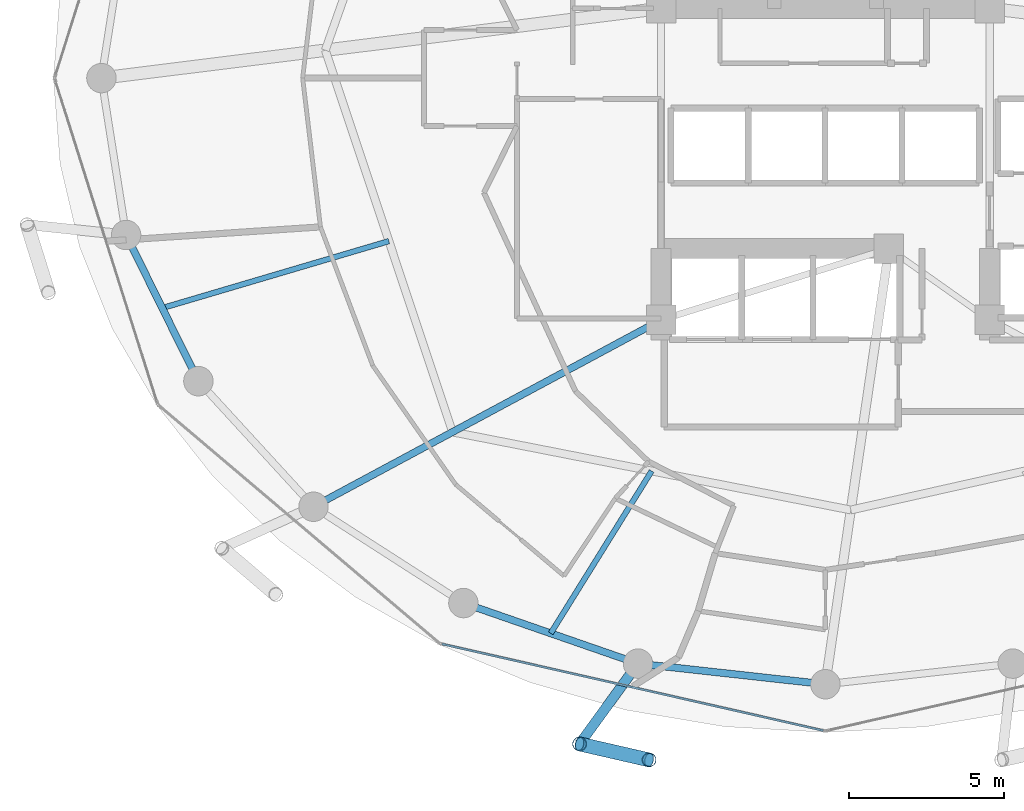
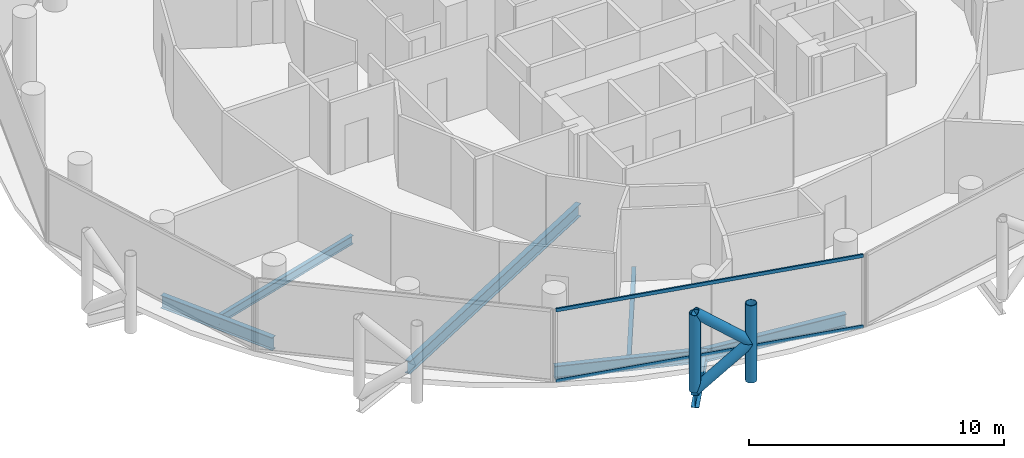
# One storey, part 3 of 26: 7 beams, 6 members, 1 element without a shape of its own.
"""IFC4 building model written with IfcOpenShell, lengths in metres."""

from ifc_helpers import new_model, si_unit, direction, frame, origin, origin_2d, place, context, subcontext, project, spatial, hollow_rectangle, hollow_circle, i_section, extrude, material, layer, layer_set, material_profile, profile_set, type_object, element, aggregate, save


model = new_model("IFC4")

# Units and contexts
model_context = context("Model", 3, precision=1e-05, world=origin(), true_north=direction((0.0, 1.0)))
body_context = subcontext(model_context, "Body", "Model", "MODEL_VIEW")
ifc_project = project(units=[si_unit("LENGTHUNIT", "METRE"), si_unit("AREAUNIT", "SQUARE_METRE"), si_unit("VOLUMEUNIT", "CUBIC_METRE"), si_unit("PLANEANGLEUNIT", "RADIAN"), si_unit("MASSUNIT", "GRAM", prefix="KILO")], contexts=[model_context])

# Site, building, storey
site_placement = place(None, origin())
site = spatial("IfcSite", under=ifc_project, at=site_placement, CompositionType="ELEMENT")
building_placement = place(site_placement, origin())
building = spatial("IfcBuilding", under=site, at=building_placement, Name="Nuhasar Tower", CompositionType="ELEMENT")
storey_placement = place(building_placement, frame((0.0, 0.0, 151.550048828125)))
storey = spatial("IfcBuildingStorey", under=building, at=storey_placement, Name="L36", CompositionType="ELEMENT", Elevation=151.550048828125)

# Beams
ifc_material_1 = material(Name="Steel S355", Category="steel")
ifc_material_profile_1 = material_profile(ifc_material_1, i_section(OverallWidth=0.177978515625, OverallDepth=0.406005859375, WebThickness=0.0078125, FlangeThickness=0.0126953125, at=origin_2d()), Name="W16X40")
ifc_profile_set_1 = profile_set([ifc_material_profile_1], Name="Steel S355")
beam_type_1 = type_object("IfcBeamType", Name="BM-JST-W16X40", PredefinedType="JOIST", material=ifc_profile_set_1)
beam_1_placement = place(storey_placement, frame((33.39697265625, 14.1279296875, -0.453125), z_axis=(-0.528139463011, -0.849157645912, 0.0), x_axis=(0.849157645912, -0.528139463011, 0.0)))
element("IfcBeam", 1, at=beam_1_placement, inside=storey, type_object=beam_type_1, Name="L36 Secondary Floor Joist 01", PredefinedType="JOIST", context=body_context, shape_type="SweptSolid", body=[
    extrude(i_section(OverallWidth=0.177978515625, OverallDepth=0.406005859375, WebThickness=0.0078125, FlangeThickness=0.0126953125, at=origin_2d()), origin(), (0.0, 0.0, 1.0), 6.164794921875),
])
beam_2_placement = place(storey_placement, frame((24.922119140625, 21.54296875, -0.453125), z_axis=(-0.959013356257, -0.283360869775, 0.0), x_axis=(0.283360869775, -0.959013356257, 0.0)))
element("IfcBeam", 2, at=beam_2_placement, inside=storey, type_object=beam_type_1, Name="L36 Secondary Floor Joist 08", PredefinedType="JOIST", context=body_context, shape_type="SweptSolid", body=[
    extrude(i_section(OverallWidth=0.177978515625, OverallDepth=0.406005859375, WebThickness=0.0078125, FlangeThickness=0.0126953125, at=origin_2d()), origin(), (0.0, 0.0, 1.0), 7.62255859375),
])
ifc_material_profile_2 = material_profile(ifc_material_1, i_section(OverallWidth=0.22900390625, OverallDepth=0.612060546875, WebThickness=0.011962890625, FlangeThickness=0.01953125, at=origin_2d()), Name="W24X84")
ifc_profile_set_2 = profile_set([ifc_material_profile_2], Name="Steel S355")
beam_type_2 = type_object("IfcBeamType", Name="BM-RAD-W24X84", PredefinedType="BEAM", material=ifc_profile_set_2)
beam_3_placement = place(storey_placement, frame((33.699951171875, 19.0, -0.55615234375), z_axis=(-0.880888386928, -0.473324043098, 0.0), x_axis=(0.473324043098, -0.880888386928, 0.0)))
element("IfcBeam", 3, at=beam_3_placement, inside=storey, type_object=beam_type_2, Name="L36 Radial Floor Girder 01", PredefinedType="BEAM", context=body_context, shape_type="SweptSolid", body=[
    extrude(i_section(OverallWidth=0.22900390625, OverallDepth=0.612060546875, WebThickness=0.011962890625, FlangeThickness=0.01953125, at=origin_2d()), origin(), (0.0, 0.0, 1.0), 12.726806640625),
])
ifc_material_profile_3 = material_profile(ifc_material_1, i_section(OverallWidth=0.22998046875, OverallDepth=0.616943359375, WebThickness=0.01318359375, FlangeThickness=0.022216796875, at=origin_2d()), Name="W24X94")
ifc_profile_set_3 = profile_set([ifc_material_profile_3], Name="Steel S355")
beam_type_3 = type_object("IfcBeamType", Name="BM-RING-W24X94", PredefinedType="SPANDREL", material=ifc_profile_set_3)
beam_4_placement = place(storey_placement, frame((16.446044921875, 21.739990234375, -0.55810546875), z_axis=(0.443329327657, -0.896358804966, 0.0), x_axis=(0.896358804966, 0.443329327657, 0.0)))
element("IfcBeam", 4, at=beam_4_placement, inside=storey, type_object=beam_type_3, Name="L36 Perimeter Ring Spandrel 14", PredefinedType="SPANDREL", context=body_context, shape_type="SweptSolid", body=[
    extrude(i_section(OverallWidth=0.22998046875, OverallDepth=0.616943359375, WebThickness=0.01318359375, FlangeThickness=0.022216796875, at=origin_2d()), origin(), (0.0, 0.0, 1.0), 5.26025390625),
])
beam_5_placement = place(storey_placement, frame((27.324951171875, 9.868896484375, -0.55810546875), z_axis=(0.944814057608, -0.327607076458, 0.0), x_axis=(0.327607076458, 0.944814057608, 0.0)))
element("IfcBeam", 5, at=beam_5_placement, inside=storey, type_object=beam_type_3, Name="L36 Perimeter Ring Spandrel 17", PredefinedType="SPANDREL", context=body_context, shape_type="SweptSolid", body=[
    extrude(i_section(OverallWidth=0.22998046875, OverallDepth=0.616943359375, WebThickness=0.01318359375, FlangeThickness=0.022216796875, at=origin_2d()), origin(), (0.0, 0.0, 1.0), 5.9609375),
])
beam_6_placement = place(storey_placement, frame((32.95703125, 7.916015625, -0.55810546875), z_axis=(0.993981289157, -0.109549974015, 0.0), x_axis=(0.109549974015, 0.993981289157, 0.0)))
element("IfcBeam", 6, at=beam_6_placement, inside=storey, type_object=beam_type_3, Name="L36 Perimeter Ring Spandrel 18", PredefinedType="SPANDREL", context=body_context, shape_type="SweptSolid", body=[
    extrude(i_section(OverallWidth=0.22998046875, OverallDepth=0.616943359375, WebThickness=0.01318359375, FlangeThickness=0.022216796875, at=origin_2d()), origin(), (0.0, 0.0, 1.0), 6.07958984375),
])
ifc_material_profile_4 = material_profile(ifc_material_1, i_section(OverallWidth=0.323974609375, OverallDepth=0.611083984375, WebThickness=0.0126953125, FlangeThickness=0.01904296875, at=origin_2d()), Name="W24X104")
ifc_profile_set_4 = profile_set([ifc_material_profile_4], Name="Steel S355")
beam_type_4 = type_object("IfcBeamType", Name="BM-TIE-W24X104", PredefinedType="BEAM", material=ifc_profile_set_4)
beam_7_placement = place(storey_placement, frame((32.95703125, 7.916015625, -0.554931640625), z_axis=(-0.588149050751, -0.808752554309, 0.0), x_axis=(0.808752554309, -0.588149050751, 0.0)))
element("IfcBeam", 7, at=beam_7_placement, inside=storey, type_object=beam_type_4, Name="L36 Exoskeleton Node Tie Beam 09", PredefinedType="BEAM", context=body_context, shape_type="SweptSolid", body=[
    extrude(i_section(OverallWidth=0.323974609375, OverallDepth=0.611083984375, WebThickness=0.0126953125, FlangeThickness=0.01904296875, at=origin_2d()), origin(), (0.0, 0.0, 1.0), 3.205078125),
])

# Curtain wall, members
ifc_material_2 = material(Name="Aluminium 6063-T6", Category="aluminium")
ifc_layer = layer(ifc_material_2, 0.199951171875)
ifc_layer_set = layer_set([ifc_layer], Name="Aluminium 6063-T6")
curtain_wall_type = type_object("IfcCurtainWallType", Name="CW-Z2-HTL", PredefinedType="NOTDEFINED", material=ifc_layer_set)
curtain_wall_placement = place(storey_placement, origin())
curtain_wall = element("IfcCurtainWall", 8, at=curtain_wall_placement, inside=storey, type_object=curtain_wall_type, Name="L36 Unitised Curtain Wall 09", PredefinedType="NOTDEFINED")
ifc_material_profile_5 = material_profile(ifc_material_2, hollow_rectangle(XDim=0.070068359375, YDim=0.159912109375, WallThickness=0.00439453125, at=origin_2d()), Name="CWT-3")
ifc_profile_set_5 = profile_set([ifc_material_profile_5], Name="Aluminium 6063-T6")
member_type_1 = type_object("IfcMemberType", Name="CW-TRN-S3", PredefinedType="USERDEFINED", material=ifc_profile_set_5)
member_1_placement = place(storey_placement, frame((26.63818359375, 8.54638671875, 0.034912109375), z_axis=(0.975187615691, -0.221380022142, 0.0), x_axis=(0.221380022142, 0.975187615691, 0.0)))
member_1 = element("IfcMember", 9, at=member_1_placement, type_object=member_type_1, Name="CW-Z2 transom 1.1", ObjectType="TRANSOM", PredefinedType="USERDEFINED", context=body_context, shape_type="SweptSolid", body=[
    extrude(hollow_rectangle(XDim=0.070068359375, YDim=0.159912109375, WallThickness=0.00439453125, at=origin_2d()), origin(), (0.0, 0.0, 1.0), 12.606201171875),
])
member_2_placement = place(storey_placement, frame((26.63818359375, 8.54638671875, 3.4150390625), z_axis=(0.975187615691, -0.221380022142, 0.0), x_axis=(0.221380022142, 0.975187615691, 0.0)))
member_2 = element("IfcMember", 10, at=member_2_placement, type_object=member_type_1, Name="CW-Z2 transom 1.2", ObjectType="TRANSOM", PredefinedType="USERDEFINED", context=body_context, shape_type="SweptSolid", body=[
    extrude(hollow_rectangle(XDim=0.070068359375, YDim=0.159912109375, WallThickness=0.00439453125, at=origin_2d()), origin(), (0.0, 0.0, 1.0), 12.606201171875),
])
aggregate(curtain_wall, [member_1, member_2])

# Members
ifc_material_3 = material(Name="Steel S460", Category="steel")
ifc_material_profile_6 = material_profile(ifc_material_3, hollow_circle(Radius=0.228515625, WallThickness=0.022216796875, at=origin_2d()), Name="HSS457X22.2")
ifc_profile_set_6 = profile_set([ifc_material_profile_6], Name="Steel S460")
member_type_2 = type_object("IfcMemberType", Name="EXO-BRONZE-457", PredefinedType="BRACE", material=ifc_profile_set_6)
for number, where, z_axis, x_axis, name in (
    (11, (31.072021484375, 5.323974609375, 0.0), (0.0, 0.0, 1.0), (1.0, 0.0, 0.0), "L36 Exoskeleton Chord Column EC-09A"),
    (12, (33.31396484375, 4.81005859375, 0.0), (0.0, 0.0, 1.0), (1.0, 0.0, 0.0), "L36 Exoskeleton Chord Column EC-09B"),
):
    element("IfcMember", number, at=place(storey_placement, frame(where, z_axis=z_axis, x_axis=x_axis)), inside=storey, type_object=member_type_2, Name=name, PredefinedType="BRACE", context=body_context, shape_type="SweptSolid", body=[
        extrude(hollow_circle(Radius=0.228515625, WallThickness=0.022216796875, at=origin_2d()), origin(), (0.0, 0.0, 1.0), 3.699951171875),
    ])
member_3_placement = place(storey_placement, frame((31.072021484375, 5.323974609375, 0.0), z_axis=(0.759549860492, -0.174110035537, 0.626713415327), x_axis=(0.223432882746, 0.974719316987, 0.0)))
element("IfcMember", 13, at=member_3_placement, inside=storey, type_object=member_type_2, Name="L36 Bronze Diagrid Brace W1-09", PredefinedType="BRACE", context=body_context, shape_type="SweptSolid", body=[
    extrude(hollow_circle(Radius=0.228515625, WallThickness=0.022216796875, at=origin_2d()), origin(), (0.0, 0.0, 1.0), 2.95166015625),
])
member_4_placement = place(storey_placement, frame((33.31396484375, 4.81005859375, 1.849853515625), z_axis=(-0.759510488094, 0.174101010284, 0.626763637022), x_axis=(-0.223432882746, -0.974719316987, 0.0)))
element("IfcMember", 14, at=member_4_placement, inside=storey, type_object=member_type_2, Name="L36 Bronze Diagrid Brace W2-09", PredefinedType="BRACE", context=body_context, shape_type="SweptSolid", body=[
    extrude(hollow_circle(Radius=0.228515625, WallThickness=0.022216796875, at=origin_2d()), origin(), (0.0, 0.0, 1.0), 2.951904296875),
])

save(model, "model.ifc")
